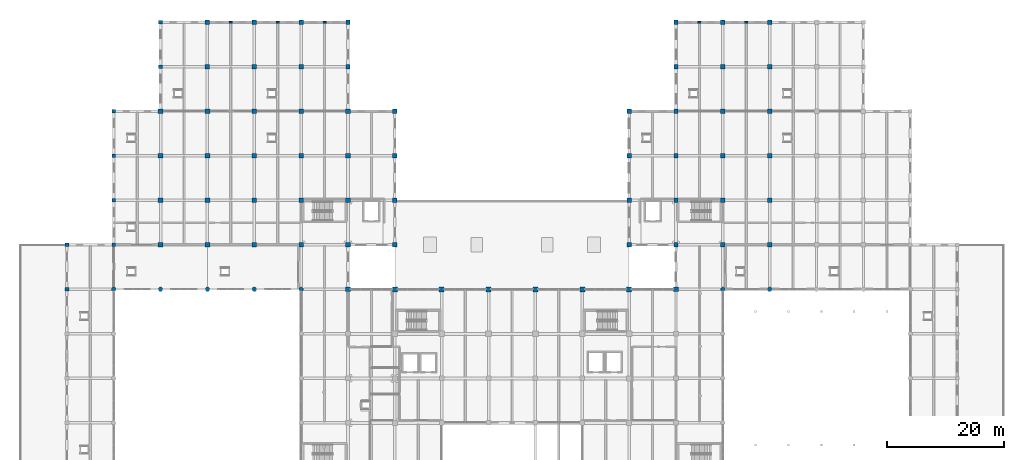
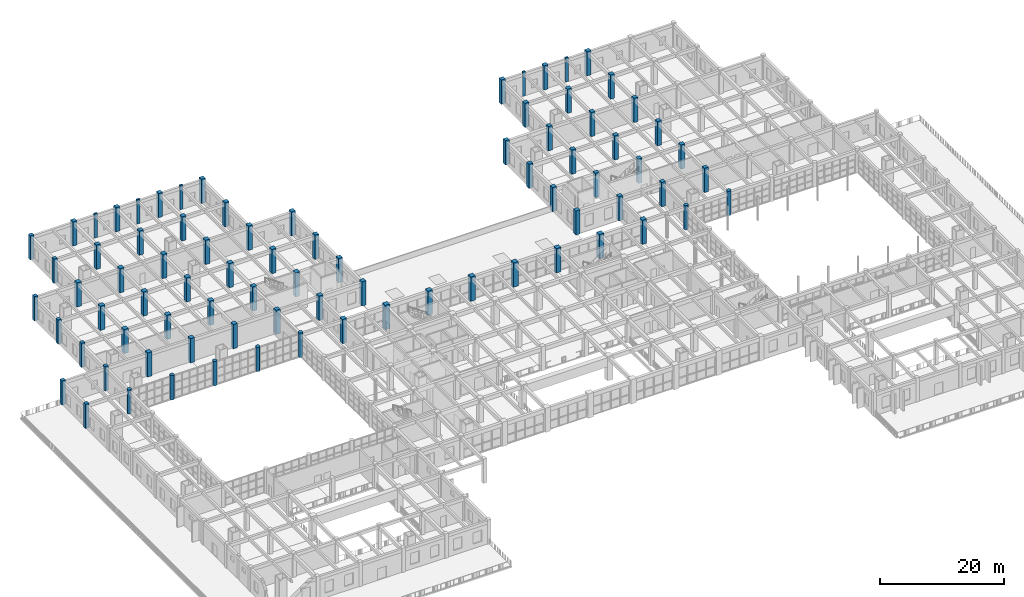
# One storey, part 3 of 101: 82 columns.
"""IFC4 building model written with IfcOpenShell, lengths in metres."""

import ifcopenshell
import ifcopenshell.guid

model = None  # the IFC model being written
_history = None  # IfcOwnerHistory: only IFC2X3 demands one
_inside = {}  # id of a spatial element -> (the spatial element, [elements in it])
_under = {}  # id of a project, library or spatial element -> (it, [spatial elements below it])
_declared = {}  # id of a project -> (the project, [libraries it declares])
_typed = {}  # id of a type object -> (the type object, [elements of that type])
_made_of = {}  # id of a material, layer set ... -> (it, [elements and type objects made of it])


def new_model(schema):
    """Start an empty IFC model of exactly this schema.

    Asked for "IFC4X3", IfcOpenShell would pick the latest addendum, in which some entities
    have other attributes; the version numbers below select the first issue.
    IFC2X3 requires an IfcOwnerHistory on every rooted entity: one is made here for all.
    """
    global model, _history
    if schema == "IFC4X3":
        model = ifcopenshell.file(schema_version=(4, 3, 0, 0))
    else:
        model = ifcopenshell.file(schema=schema)
    _inside.clear()
    _under.clear()
    _declared.clear()
    _typed.clear()
    _made_of.clear()
    _history = None
    if model.schema == "IFC2X3":
        org = make("IfcOrganization", Name="unknown")
        user = make(
            "IfcPersonAndOrganization",
            ThePerson=make("IfcPerson", FamilyName="unknown"),
            TheOrganization=org,
        )
        app = make(
            "IfcApplication",
            ApplicationDeveloper=org,
            Version="unknown",
            ApplicationFullName="unknown",
            ApplicationIdentifier="unknown",
        )
        _history = make(
            "IfcOwnerHistory",
            OwningUser=user,
            OwningApplication=app,
            ChangeAction="ADDED",
            CreationDate=0,
        )
    return model


def make(cls, **values):
    """One entity of the class cls with the attributes given. An attribute that is None is left unset."""
    return model.create_entity(
        cls, **{name: value for name, value in values.items() if value is not None}
    )


def rooted(cls, **values):
    """An entity with a GlobalId (a new one), such as an element, a storey or a relation."""
    return make(cls, GlobalId=ifcopenshell.guid.new(), OwnerHistory=_history, **values)


def si_unit(unit_type, name, prefix=None):
    """IfcSIUnit, for example si_unit("LENGTHUNIT", "METRE", prefix="MILLI")."""
    return make("IfcSIUnit", UnitType=unit_type, Prefix=prefix, Name=name)


def assignment(units):
    """IfcUnitAssignment: the units of a project."""
    return None if units is None else make("IfcUnitAssignment", Units=units)


def point(xyz):
    """IfcCartesianPoint."""
    return None if xyz is None else make("IfcCartesianPoint", Coordinates=xyz)


def direction(xyz):
    """IfcDirection."""
    return None if xyz is None else make("IfcDirection", DirectionRatios=xyz)


def frame(location, z_axis=None, x_axis=None):
    """IfcAxis2Placement3D, a coordinate frame: its origin and axes. An axis left out is left unset."""
    return make(
        "IfcAxis2Placement3D",
        Location=point(location),
        Axis=direction(z_axis),
        RefDirection=direction(x_axis),
    )


def frame_2d(location, x_axis=None):
    """IfcAxis2Placement2D, a coordinate frame in the plane: its origin and x axis."""
    return make(
        "IfcAxis2Placement2D", Location=point(location), RefDirection=direction(x_axis)
    )


def origin():
    """The frame at (0, 0, 0) with its axes left unset."""
    return frame((0.0, 0.0, 0.0))


def origin_2d():
    """The frame at (0, 0) in the plane with its x axis left unset."""
    return frame_2d((0.0, 0.0))


def place(relative_to, where):
    """IfcLocalPlacement: puts the frame where relative to a parent placement (None: the world)."""
    return make(
        "IfcLocalPlacement", PlacementRelTo=relative_to, RelativePlacement=where
    )


def context(
    kind, dimensions, precision=None, world=None, true_north=None, identifier=None
):
    """IfcGeometricRepresentationContext, for example the 3D "Model" context."""
    return make(
        "IfcGeometricRepresentationContext",
        ContextIdentifier=identifier,
        ContextType=kind,
        CoordinateSpaceDimension=dimensions,
        Precision=precision,
        WorldCoordinateSystem=world,
        TrueNorth=true_north,
    )


def subcontext(parent, identifier, kind, view, scale=None):
    """IfcGeometricRepresentationSubContext, for example "Body" below "Model"."""
    return make(
        "IfcGeometricRepresentationSubContext",
        ContextIdentifier=identifier,
        ContextType=kind,
        ParentContext=parent,
        TargetScale=scale,
        TargetView=view,
    )


def project(units=None, contexts=None):
    """IfcProject with its units and contexts."""
    return rooted(
        "IfcProject",
        Name="project",
        RepresentationContexts=contexts,
        UnitsInContext=assignment(units),
    )


def spatial(cls, under=None, at=None, **own):
    """A site, building, storey or space (cls), placed at a placement, below another one or the project."""
    s = rooted(cls, ObjectPlacement=at, **own)
    if under is not None:
        _under.setdefault(under.id(), (under, []))[1].append(s)
    return s


def profile(cls, at=None, kind="AREA", **sizes):
    """A parametric profile (cls). Its sizes go by their IFC names, for example OverallWidth=200.0."""
    return make(cls, ProfileType=kind, Position=at, **sizes)


def rectangle(**sizes):
    """IfcRectangleProfileDef."""
    return profile("IfcRectangleProfileDef", **sizes)


def circle(**sizes):
    """IfcCircleProfileDef."""
    return profile("IfcCircleProfileDef", **sizes)


def extrude(swept, where, along, depth):
    """IfcExtrudedAreaSolid: the profile swept, set in the frame where, extruded along a direction by depth."""
    return make(
        "IfcExtrudedAreaSolid",
        SweptArea=swept,
        Position=where,
        ExtrudedDirection=direction(along),
        Depth=depth,
    )


def shape(context_of_items, identifier, shape_type, items):
    """IfcShapeRepresentation: the items that make up one representation, for example the "Body"."""
    return make(
        "IfcShapeRepresentation",
        ContextOfItems=context_of_items,
        RepresentationIdentifier=identifier,
        RepresentationType=shape_type,
        Items=items,
    )


def material(Name=None, Category=None):
    """IfcMaterial."""
    return make("IfcMaterial", Name=Name, Category=Category)


def material_profile(
    of_material, cross_section, Name=None, Category=None, Priority=None
):
    """IfcMaterialProfile: a cross section and its material."""
    return make(
        "IfcMaterialProfile",
        Name=Name,
        Material=of_material,
        Profile=cross_section,
        Priority=Priority,
        Category=Category,
    )


def profile_set(profiles, Name=None, composite=None):
    """IfcMaterialProfileSet."""
    return make(
        "IfcMaterialProfileSet",
        Name=Name,
        MaterialProfiles=profiles,
        CompositeProfile=composite,
    )


def made_of(thing, what):
    """Note that an element or type object is made of a material, layer set ...; save() writes the relation."""
    if what is not None:
        _made_of.setdefault(what.id(), (what, []))[1].append(thing)
    return thing


def type_object(cls, material=None, **own):
    """A type object (cls), such as IfcWallType, which elements share."""
    return made_of(rooted(cls, **own), material)


def element(
    cls,
    number,
    at=None,
    inside=None,
    cuts=None,
    type_object=None,
    material=None,
    context=None,
    identifier="Body",
    shape_type=None,
    held_by="IfcProductDefinitionShape",
    body=None,
    shapes=None,
    **own,
):
    """One element of the class cls, such as IfcWall. Its Tag is "e" and its number.

    at: its placement. inside: the storey or other place that contains it. cuts: it is an
    opening in that element (IfcRelVoidsElement). A single representation is given by context,
    identifier, shape_type and body (its items); several are given by shapes. held_by: the class
    of the entity that holds the representations. save() writes the other relations.
    """
    e = rooted(cls, Tag="e%d" % number, ObjectPlacement=at, **own)
    if body is not None:
        shapes = [shape(context, identifier, shape_type, body)]
    if shapes is not None:
        e.Representation = make(held_by, Representations=shapes)
    if inside is not None:
        _inside.setdefault(inside.id(), (inside, []))[1].append(e)
    if cuts is not None:
        rooted(
            "IfcRelVoidsElement", RelatingBuildingElement=cuts, RelatedOpeningElement=e
        )
    if type_object is not None:
        _typed.setdefault(type_object.id(), (type_object, []))[1].append(e)
    return made_of(e, material)


def aggregate(whole, parts):
    """IfcRelAggregates: a whole, such as a stair, and the parts it consists of."""
    return rooted("IfcRelAggregates", RelatingObject=whole, RelatedObjects=parts)


def save(model, path):
    """Write the relations noted so far, then the file.

    IfcRelAggregates (storeys below a building ...), IfcRelContainedInSpatialStructure (elements
    in a storey), IfcRelDefinesByType, IfcRelAssociatesMaterial and IfcRelDeclares: one each for
    every whole, place, type object, material and project.
    """
    for whole, parts in _under.values():
        aggregate(whole, parts)
    for where, things in _inside.values():
        rooted(
            "IfcRelContainedInSpatialStructure",
            RelatedElements=things,
            RelatingStructure=where,
        )
    for kind, things in _typed.values():
        rooted("IfcRelDefinesByType", RelatedObjects=things, RelatingType=kind)
    for what, things in _made_of.values():
        rooted("IfcRelAssociatesMaterial", RelatedObjects=things, RelatingMaterial=what)
    for by, libraries in _declared.values():
        rooted("IfcRelDeclares", RelatingContext=by, RelatedDefinitions=libraries)
    model.write(path)


model = new_model("IFC4")

# Units and contexts
model_context = context("Model", 3, precision=1e-05, world=origin(), true_north=direction((0.0, 1.0)))
body_context = subcontext(model_context, "Body", "Model", "MODEL_VIEW")
ifc_project = project(units=[si_unit("LENGTHUNIT", "METRE"), si_unit("AREAUNIT", "SQUARE_METRE"), si_unit("VOLUMEUNIT", "CUBIC_METRE"), si_unit("PLANEANGLEUNIT", "RADIAN"), si_unit("MASSUNIT", "GRAM", prefix="KILO")], contexts=[model_context])

# Site, building, storey
site_placement = place(None, origin())
site = spatial("IfcSite", under=ifc_project, at=site_placement, CompositionType="ELEMENT")
building_placement = place(site_placement, origin())
building = spatial("IfcBuilding", under=site, at=building_placement, Name="Zantavel Square City Hall", CompositionType="ELEMENT")
storey_placement = place(building_placement, frame((0.0, 0.0, 5.39990234375)))
storey = spatial("IfcBuildingStorey", under=building, at=storey_placement, Name="L02", CompositionType="ELEMENT", Elevation=5.39990234375)

# Columns
ifc_material = material(Name="Concrete C40/50", Category="concrete")
ifc_material_profile_1 = material_profile(ifc_material, rectangle(XDim=0.64990234375, YDim=0.64990234375, at=origin_2d()), Name="RC 650x650")
ifc_profile_set_1 = profile_set([ifc_material_profile_1], Name="Concrete C40/50")
column_type_1 = type_object("IfcColumnType", Name="Column RC 650x650 C40/50", PredefinedType="COLUMN", material=ifc_profile_set_1)
for number, where, z_axis, x_axis, name in (
    (1, (8.0, 68.39990234375, 0.0), (0.0, 0.0, 1.0), (1.0, 0.0, 0.0), "L02 Column COL-L02-0080-0684"),
    (2, (8.0, 76.0, 0.0), (0.0, 0.0, 1.0), (1.0, 0.0, 0.0), "L02 Column COL-L02-0080-0760"),
    (3, (16.0, 76.0, 0.0), (0.0, 0.0, 1.0), (1.0, 0.0, 0.0), "L02 Column COL-L02-0160-0760"),
    (4, (16.0, 83.60009765625, 0.0), (0.0, 0.0, 1.0), (1.0, 0.0, 0.0), "L02 Column COL-L02-0160-0836"),
    (5, (16.0, 91.199951171875, 0.0), (0.0, 0.0, 1.0), (1.0, 0.0, 0.0), "L02 Column COL-L02-0160-0912"),
    (6, (16.0, 98.800048828125, 0.0), (0.0, 0.0, 1.0), (1.0, 0.0, 0.0), "L02 Column COL-L02-0160-0988"),
    (7, (24.0, 106.39990234375, 0.0), (0.0, 0.0, 1.0), (1.0, 0.0, 0.0), "L02 Column COL-L02-0240-1064"),
    (8, (24.0, 114.0, 0.0), (0.0, 0.0, 1.0), (1.0, 0.0, 0.0), "L02 Column COL-L02-0240-1140"),
):
    element("IfcColumn", number, at=place(storey_placement, frame(where, z_axis=z_axis, x_axis=x_axis)), inside=storey, type_object=column_type_1, Name=name, PredefinedType="COLUMN", context=body_context, shape_type="SweptSolid", body=[
        extrude(rectangle(XDim=0.64990234375, YDim=0.64990234375, at=origin_2d()), origin(), (0.0, 0.0, 1.0), 4.800048828125),
    ])
ifc_material_profile_2 = material_profile(ifc_material, rectangle(XDim=0.75, YDim=0.75, at=origin_2d()), Name="RC 750x750")
ifc_profile_set_2 = profile_set([ifc_material_profile_2], Name="Concrete C40/50")
column_type_2 = type_object("IfcColumnType", Name="Column RC 750x750 C40/50", PredefinedType="COLUMN", material=ifc_profile_set_2)
for number, where, z_axis, x_axis, name in (
    (9, (32.0, 106.39990234375, 0.0), (0.0, 0.0, 1.0), (1.0, 0.0, 0.0), "L02 Column COL-L02-0320-1064"),
    (10, (32.0, 114.0, 0.0), (0.0, 0.0, 1.0), (1.0, 0.0, 0.0), "L02 Column COL-L02-0320-1140"),
    (11, (40.0, 106.39990234375, 0.0), (0.0, 0.0, 1.0), (1.0, 0.0, 0.0), "L02 Column COL-L02-0400-1064"),
    (12, (40.0, 114.0, 0.0), (0.0, 0.0, 1.0), (1.0, 0.0, 0.0), "L02 Column COL-L02-0400-1140"),
    (13, (48.0, 106.39990234375, 0.0), (0.0, 0.0, 1.0), (1.0, 0.0, 0.0), "L02 Column COL-L02-0480-1064"),
    (14, (48.0, 114.0, 0.0), (0.0, 0.0, 1.0), (1.0, 0.0, 0.0), "L02 Column COL-L02-0480-1140"),
    (15, (56.0, 106.39990234375, 0.0), (0.0, 0.0, 1.0), (1.0, 0.0, 0.0), "L02 Column COL-L02-0560-1064"),
    (16, (56.0, 114.0, 0.0), (0.0, 0.0, 1.0), (1.0, 0.0, 0.0), "L02 Column COL-L02-0560-1140"),
    (17, (64.0, 76.0, 0.0), (0.0, 0.0, 1.0), (1.0, 0.0, 0.0), "L02 Column COL-L02-0640-0760"),
    (18, (64.0, 83.60009765625, 0.0), (0.0, 0.0, 1.0), (1.0, 0.0, 0.0), "L02 Column COL-L02-0640-0836"),
    (19, (64.0, 91.199951171875, 0.0), (0.0, 0.0, 1.0), (1.0, 0.0, 0.0), "L02 Column COL-L02-0640-0912"),
    (20, (64.0, 98.800048828125, 0.0), (0.0, 0.0, 1.0), (1.0, 0.0, 0.0), "L02 Column COL-L02-0640-0988"),
    (21, (104.0, 76.0, 0.0), (0.0, 0.0, 1.0), (1.0, 0.0, 0.0), "L02 Column COL-L02-1040-0760"),
    (22, (104.0, 83.60009765625, 0.0), (0.0, 0.0, 1.0), (1.0, 0.0, 0.0), "L02 Column COL-L02-1040-0836"),
    (23, (104.0, 91.199951171875, 0.0), (0.0, 0.0, 1.0), (1.0, 0.0, 0.0), "L02 Column COL-L02-1040-0912"),
    (24, (104.0, 98.800048828125, 0.0), (0.0, 0.0, 1.0), (1.0, 0.0, 0.0), "L02 Column COL-L02-1040-0988"),
    (25, (112.0, 76.0, 0.0), (0.0, 0.0, 1.0), (1.0, 0.0, 0.0), "L02 Column COL-L02-1120-0760"),
    (26, (112.0, 83.60009765625, 0.0), (0.0, 0.0, 1.0), (1.0, 0.0, 0.0), "L02 Column COL-L02-1120-0836"),
    (27, (112.0, 91.199951171875, 0.0), (0.0, 0.0, 1.0), (1.0, 0.0, 0.0), "L02 Column COL-L02-1120-0912"),
    (28, (112.0, 98.800048828125, 0.0), (0.0, 0.0, 1.0), (1.0, 0.0, 0.0), "L02 Column COL-L02-1120-0988"),
    (29, (112.0, 106.39990234375, 0.0), (0.0, 0.0, 1.0), (1.0, 0.0, 0.0), "L02 Column COL-L02-1120-1064"),
    (30, (112.0, 114.0, 0.0), (0.0, 0.0, 1.0), (1.0, 0.0, 0.0), "L02 Column COL-L02-1120-1140"),
    (31, (120.0, 76.0, 0.0), (0.0, 0.0, 1.0), (1.0, 0.0, 0.0), "L02 Column COL-L02-1200-0760"),
    (32, (120.0, 83.60009765625, 0.0), (0.0, 0.0, 1.0), (1.0, 0.0, 0.0), "L02 Column COL-L02-1200-0836"),
    (33, (120.0, 91.199951171875, 0.0), (0.0, 0.0, 1.0), (1.0, 0.0, 0.0), "L02 Column COL-L02-1200-0912"),
    (34, (120.0, 98.800048828125, 0.0), (0.0, 0.0, 1.0), (1.0, 0.0, 0.0), "L02 Column COL-L02-1200-0988"),
    (35, (120.0, 106.39990234375, 0.0), (0.0, 0.0, 1.0), (1.0, 0.0, 0.0), "L02 Column COL-L02-1200-1064"),
    (36, (120.0, 114.0, 0.0), (0.0, 0.0, 1.0), (1.0, 0.0, 0.0), "L02 Column COL-L02-1200-1140"),
    (37, (128.0, 76.0, 0.0), (0.0, 0.0, 1.0), (1.0, 0.0, 0.0), "L02 Column COL-L02-1280-0760"),
    (38, (128.0, 83.60009765625, 0.0), (0.0, 0.0, 1.0), (1.0, 0.0, 0.0), "L02 Column COL-L02-1280-0836"),
    (39, (128.0, 91.199951171875, 0.0), (0.0, 0.0, 1.0), (1.0, 0.0, 0.0), "L02 Column COL-L02-1280-0912"),
    (40, (128.0, 98.800048828125, 0.0), (0.0, 0.0, 1.0), (1.0, 0.0, 0.0), "L02 Column COL-L02-1280-0988"),
    (41, (128.0, 106.39990234375, 0.0), (0.0, 0.0, 1.0), (1.0, 0.0, 0.0), "L02 Column COL-L02-1280-1064"),
    (42, (128.0, 114.0, 0.0), (0.0, 0.0, 1.0), (1.0, 0.0, 0.0), "L02 Column COL-L02-1280-1140"),
):
    element("IfcColumn", number, at=place(storey_placement, frame(where, z_axis=z_axis, x_axis=x_axis)), inside=storey, type_object=column_type_2, Name=name, PredefinedType="COLUMN", context=body_context, shape_type="SweptSolid", body=[
        extrude(rectangle(XDim=0.75, YDim=0.75, at=origin_2d()), origin(), (0.0, 0.0, 1.0), 4.800048828125),
    ])
ifc_material_profile_3 = material_profile(ifc_material, rectangle(XDim=0.800048828125, YDim=0.800048828125, at=origin_2d()), Name="RC 800x800")
ifc_profile_set_3 = profile_set([ifc_material_profile_3], Name="Concrete C40/50")
column_type_3 = type_object("IfcColumnType", Name="Column RC 800x800 C40/50", PredefinedType="COLUMN", material=ifc_profile_set_3)
for number, where, z_axis, x_axis, name in (
    (43, (24.0, 76.0, 0.0), (0.0, 0.0, 1.0), (1.0, 0.0, 0.0), "L02 Column COL-L02-0240-0760"),
    (44, (24.0, 83.60009765625, 0.0), (0.0, 0.0, 1.0), (1.0, 0.0, 0.0), "L02 Column COL-L02-0240-0836"),
    (45, (24.0, 91.199951171875, 0.0), (0.0, 0.0, 1.0), (1.0, 0.0, 0.0), "L02 Column COL-L02-0240-0912"),
    (46, (24.0, 98.800048828125, 0.0), (0.0, 0.0, 1.0), (1.0, 0.0, 0.0), "L02 Column COL-L02-0240-0988"),
    (47, (32.0, 76.0, 0.0), (0.0, 0.0, 1.0), (1.0, 0.0, 0.0), "L02 Column COL-L02-0320-0760"),
    (48, (32.0, 83.60009765625, 0.0), (0.0, 0.0, 1.0), (1.0, 0.0, 0.0), "L02 Column COL-L02-0320-0836"),
    (49, (32.0, 91.199951171875, 0.0), (0.0, 0.0, 1.0), (1.0, 0.0, 0.0), "L02 Column COL-L02-0320-0912"),
    (50, (32.0, 98.800048828125, 0.0), (0.0, 0.0, 1.0), (1.0, 0.0, 0.0), "L02 Column COL-L02-0320-0988"),
    (51, (40.0, 76.0, 0.0), (0.0, 0.0, 1.0), (1.0, 0.0, 0.0), "L02 Column COL-L02-0400-0760"),
    (52, (40.0, 83.60009765625, 0.0), (0.0, 0.0, 1.0), (1.0, 0.0, 0.0), "L02 Column COL-L02-0400-0836"),
    (53, (40.0, 91.199951171875, 0.0), (0.0, 0.0, 1.0), (1.0, 0.0, 0.0), "L02 Column COL-L02-0400-0912"),
    (54, (40.0, 98.800048828125, 0.0), (0.0, 0.0, 1.0), (1.0, 0.0, 0.0), "L02 Column COL-L02-0400-0988"),
    (55, (48.0, 76.0, 0.0), (0.0, 0.0, 1.0), (1.0, 0.0, 0.0), "L02 Column COL-L02-0480-0760"),
    (56, (48.0, 83.60009765625, 0.0), (0.0, 0.0, 1.0), (1.0, 0.0, 0.0), "L02 Column COL-L02-0480-0836"),
    (57, (48.0, 91.199951171875, 0.0), (0.0, 0.0, 1.0), (1.0, 0.0, 0.0), "L02 Column COL-L02-0480-0912"),
    (58, (48.0, 98.800048828125, 0.0), (0.0, 0.0, 1.0), (1.0, 0.0, 0.0), "L02 Column COL-L02-0480-0988"),
    (59, (56.0, 68.39990234375, 0.0), (0.0, 0.0, 1.0), (1.0, 0.0, 0.0), "L02 Column COL-L02-0560-0684"),
    (60, (56.0, 76.0, 0.0), (0.0, 0.0, 1.0), (1.0, 0.0, 0.0), "L02 Column COL-L02-0560-0760"),
    (61, (56.0, 83.60009765625, 0.0), (0.0, 0.0, 1.0), (1.0, 0.0, 0.0), "L02 Column COL-L02-0560-0836"),
    (62, (56.0, 91.199951171875, 0.0), (0.0, 0.0, 1.0), (1.0, 0.0, 0.0), "L02 Column COL-L02-0560-0912"),
    (63, (56.0, 98.800048828125, 0.0), (0.0, 0.0, 1.0), (1.0, 0.0, 0.0), "L02 Column COL-L02-0560-0988"),
    (64, (112.0, 68.39990234375, 0.0), (0.0, 0.0, 1.0), (1.0, 0.0, 0.0), "L02 Column COL-L02-1120-0684"),
):
    element("IfcColumn", number, at=place(storey_placement, frame(where, z_axis=z_axis, x_axis=x_axis)), inside=storey, type_object=column_type_3, Name=name, PredefinedType="COLUMN", context=body_context, shape_type="SweptSolid", body=[
        extrude(rectangle(XDim=0.800048828125, YDim=0.800048828125, at=origin_2d()), origin(), (0.0, 0.0, 1.0), 4.800048828125),
    ])
ifc_material_profile_4 = material_profile(ifc_material, rectangle(XDim=0.85009765625, YDim=0.85009765625, at=origin_2d()), Name="RC 850x850")
ifc_profile_set_4 = profile_set([ifc_material_profile_4], Name="Concrete C40/50")
column_type_4 = type_object("IfcColumnType", Name="Column RC 850x850 C40/50", PredefinedType="COLUMN", material=ifc_profile_set_4)
for number, where, z_axis, x_axis, name in (
    (65, (64.0, 68.39990234375, 0.0), (0.0, 0.0, 1.0), (1.0, 0.0, 0.0), "L02 Column COL-L02-0640-0684"),
    (66, (72.0, 68.39990234375, 0.0), (0.0, 0.0, 1.0), (1.0, 0.0, 0.0), "L02 Column COL-L02-0720-0684"),
    (67, (80.0, 68.39990234375, 0.0), (0.0, 0.0, 1.0), (1.0, 0.0, 0.0), "L02 Column COL-L02-0800-0684"),
    (68, (88.0, 68.39990234375, 0.0), (0.0, 0.0, 1.0), (1.0, 0.0, 0.0), "L02 Column COL-L02-0880-0684"),
    (69, (96.0, 68.39990234375, 0.0), (0.0, 0.0, 1.0), (1.0, 0.0, 0.0), "L02 Column COL-L02-0960-0684"),
    (70, (104.0, 68.39990234375, 0.0), (0.0, 0.0, 1.0), (1.0, 0.0, 0.0), "L02 Column COL-L02-1040-0684"),
):
    element("IfcColumn", number, at=place(storey_placement, frame(where, z_axis=z_axis, x_axis=x_axis)), inside=storey, type_object=column_type_4, Name=name, PredefinedType="COLUMN", context=body_context, shape_type="SweptSolid", body=[
        extrude(rectangle(XDim=0.85009765625, YDim=0.85009765625, at=origin_2d()), origin(), (0.0, 0.0, 1.0), 4.800048828125),
    ])
ifc_material_profile_5 = material_profile(ifc_material, circle(Radius=0.375, at=origin_2d()), Name="ROUND D750")
ifc_profile_set_5 = profile_set([ifc_material_profile_5], Name="Concrete C40/50")
column_type_5 = type_object("IfcColumnType", Name="Courtyard Ionic Column D750 C40/50", PredefinedType="COLUMN", material=ifc_profile_set_5)
for number, where, z_axis, x_axis, name in (
    (71, (16.0, 68.39990234375, 0.0), (0.0, 0.0, 1.0), (1.0, 0.0, 0.0), "L02 Column COL-L02-0160-0684"),
    (72, (24.0, 68.39990234375, 0.0), (0.0, 0.0, 1.0), (1.0, 0.0, 0.0), "L02 Column COL-L02-0240-0684"),
    (73, (32.0, 68.39990234375, 0.0), (0.0, 0.0, 1.0), (1.0, 0.0, 0.0), "L02 Column COL-L02-0320-0684"),
    (74, (40.0, 68.39990234375, 0.0), (0.0, 0.0, 1.0), (1.0, 0.0, 0.0), "L02 Column COL-L02-0400-0684"),
    (75, (48.0, 68.39990234375, 0.0), (0.0, 0.0, 1.0), (1.0, 0.0, 0.0), "L02 Column COL-L02-0480-0684"),
    (76, (120.0, 68.39990234375, 0.0), (0.0, 0.0, 1.0), (1.0, 0.0, 0.0), "L02 Column COL-L02-1200-0684"),
    (77, (128.0, 68.39990234375, 0.0), (0.0, 0.0, 1.0), (1.0, 0.0, 0.0), "L02 Column COL-L02-1280-0684"),
):
    element("IfcColumn", number, at=place(storey_placement, frame(where, z_axis=z_axis, x_axis=x_axis)), inside=storey, type_object=column_type_5, Name=name, PredefinedType="COLUMN", context=body_context, shape_type="SweptSolid", body=[
        extrude(circle(Radius=0.375, at=origin_2d()), origin(), (0.0, 0.0, 1.0), 4.800048828125),
    ])
ifc_material_profile_6 = material_profile(ifc_material, rectangle(XDim=0.5, YDim=0.300048828125, at=origin_2d()), Name="RC 500x300")
ifc_profile_set_6 = profile_set([ifc_material_profile_6], Name="Concrete C40/50")
column_type_6 = type_object("IfcColumnType", Name="Courtyard Stone Pilaster 500x300 C40/50", PredefinedType="PILASTER", material=ifc_profile_set_6)
for number, where, z_axis, x_axis, name in (
    (78, (52.0, 114.0, 0.0), (0.0, 0.0, 1.0), (1.0, 0.0, 0.0), "L02 Facade Pilaster PIL-L02-0520-1140"),
    (79, (116.0, 114.0, 0.0), (0.0, 0.0, 1.0), (1.0, 0.0, 0.0), "L02 Facade Pilaster PIL-L02-1160-1140"),
):
    element("IfcColumn", number, at=place(storey_placement, frame(where, z_axis=z_axis, x_axis=x_axis)), inside=storey, type_object=column_type_6, Name=name, PredefinedType="PILASTER", context=body_context, shape_type="SweptSolid", body=[
        extrude(rectangle(XDim=0.5, YDim=0.300048828125, at=origin_2d()), origin(), (0.0, 0.0, 1.0), 4.800048828125),
    ])
ifc_material_profile_7 = material_profile(ifc_material, rectangle(XDim=0.550048828125, YDim=0.320068359375, at=origin_2d()), Name="RC 550x320")
ifc_profile_set_7 = profile_set([ifc_material_profile_7], Name="Concrete C40/50")
column_type_7 = type_object("IfcColumnType", Name="North Wing Stone Pilaster 550x320 C40/50", PredefinedType="PILASTER", material=ifc_profile_set_7)
for number, where, z_axis, x_axis, name in (
    (80, (36.0, 114.0, 0.0), (0.0, 0.0, 1.0), (1.0, 0.0, 0.0), "L02 Facade Pilaster PIL-L02-0360-1140"),
    (81, (44.0, 114.0, 0.0), (0.0, 0.0, 1.0), (1.0, 0.0, 0.0), "L02 Facade Pilaster PIL-L02-0440-1140"),
    (82, (124.0, 114.0, 0.0), (0.0, 0.0, 1.0), (1.0, 0.0, 0.0), "L02 Facade Pilaster PIL-L02-1240-1140"),
):
    element("IfcColumn", number, at=place(storey_placement, frame(where, z_axis=z_axis, x_axis=x_axis)), inside=storey, type_object=column_type_7, Name=name, PredefinedType="PILASTER", context=body_context, shape_type="SweptSolid", body=[
        extrude(rectangle(XDim=0.550048828125, YDim=0.320068359375, at=origin_2d()), origin(), (0.0, 0.0, 1.0), 4.800048828125),
    ])

save(model, "model.ifc")
